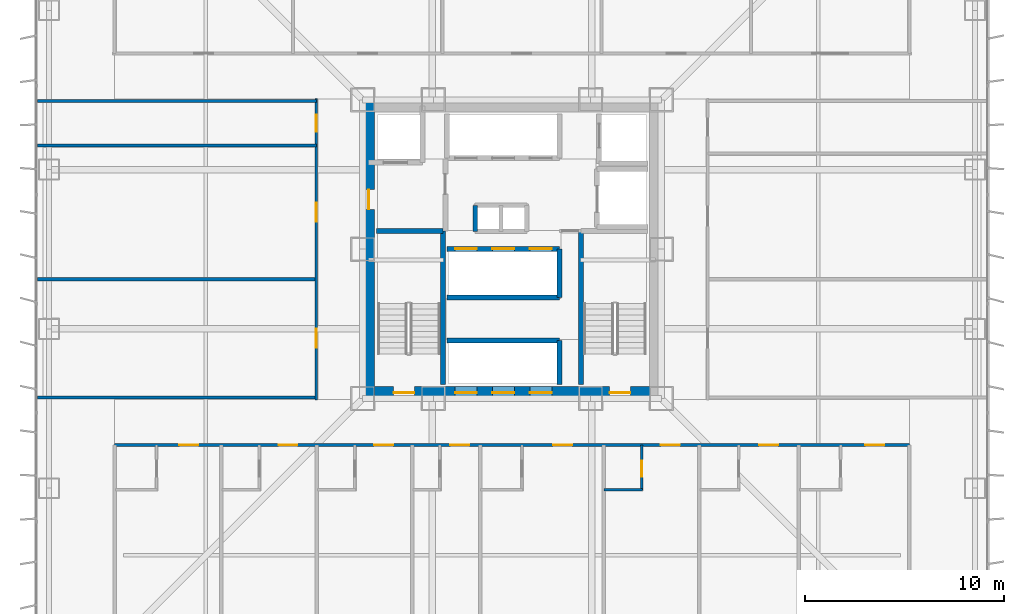
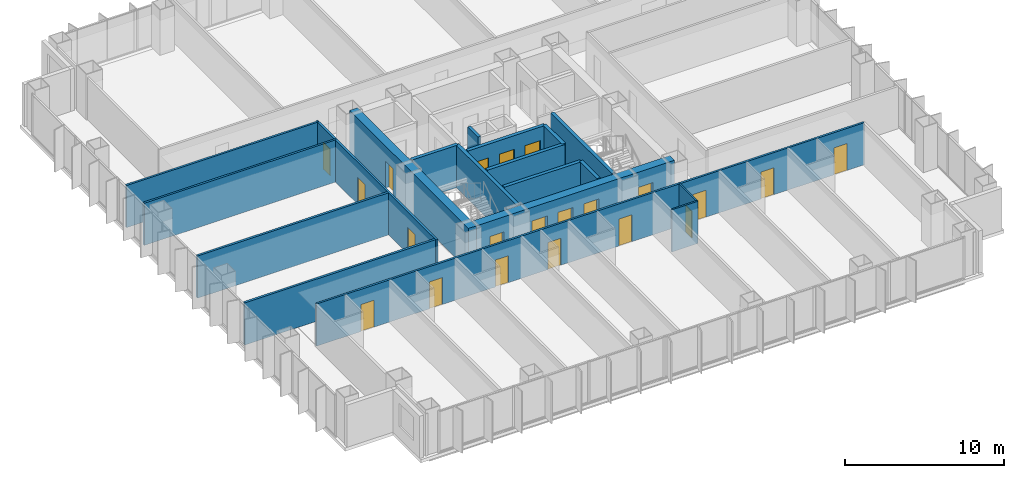
# One storey, part 14 of 19: 21 doors, 19 walls, 21 openings.
"""IFC4 building model written with IfcOpenShell, lengths in metres."""

from ifc_helpers import new_model, si_unit, direction, frame, frame_2d, origin, place, context, subcontext, project, spatial, rectangle, extrude, material, layer, layer_set, type_object, element, fill, save


model = new_model("IFC4")

# Units and contexts
model_context = context("Model", 3, precision=1e-05, world=origin(), true_north=direction((0.0, 1.0)))
body_context = subcontext(model_context, "Body", "Model", "MODEL_VIEW")
ifc_project = project(units=[si_unit("LENGTHUNIT", "METRE"), si_unit("AREAUNIT", "SQUARE_METRE"), si_unit("VOLUMEUNIT", "CUBIC_METRE"), si_unit("PLANEANGLEUNIT", "RADIAN"), si_unit("MASSUNIT", "GRAM", prefix="KILO")], contexts=[model_context])

# Site, building, storey
site_placement = place(None, origin())
site = spatial("IfcSite", under=ifc_project, at=site_placement, CompositionType="ELEMENT")
building_placement = place(site_placement, origin())
building = spatial("IfcBuilding", under=site, at=building_placement, Name="Trevonay Congress Spire", CompositionType="ELEMENT")
storey_placement = place(building_placement, frame((0.0, 0.0, 58.5)))
storey = spatial("IfcBuildingStorey", under=building, at=storey_placement, Name="L14", CompositionType="ELEMENT", Elevation=58.5)

# Wall, opening, door
ifc_material_1 = material(Name="Concrete C40/50", Category="concrete")
ifc_layer_1 = layer(ifc_material_1, 0.1201171875, Name="Concrete C40/50")
ifc_layer_set_1 = layer_set([ifc_layer_1], Name="Concrete C40/50")
wall_type_1 = type_object("IfcWallType", Name="WAL-BATH-120", PredefinedType="PLUMBINGWALL", material=ifc_layer_set_1)
wall_1_placement = place(storey_placement, frame((6.512939453125, -12.080078125, 0.0), z_axis=(0.0, 0.0, 1.0), x_axis=(0.0, 1.0, 0.0)))
wall_1 = element("IfcWall", 1, at=wall_1_placement, inside=storey, type_object=wall_type_1, Name="L14 interior wall WH-L14S-BS6", PredefinedType="PLUMBINGWALL", context=body_context, shape_type="SweptSolid", body=[
    extrude(rectangle(XDim=2.25, YDim=0.1201171875, at=frame_2d((1.125, 0.0))), origin(), (0.0, 0.0, 1.0), 3.25),
])
opening_1_placement = place(wall_1_placement, frame((0.64990234375, 0.0, 0.0)))
opening_1 = element("IfcOpeningElement", 2, at=opening_1_placement, cuts=wall_1, Name="Opening D11", PredefinedType="OPENING", context=body_context, shape_type="SweptSolid", body=[
    extrude(rectangle(XDim=0.800048828125, YDim=2.050048828125, at=frame_2d((0.39990234375, 1.02490234375))), frame((0.0, 0.070068359375, 0.0), z_axis=(0.0, -1.0, 0.0), x_axis=(1.0, 0.0, 0.0)), (0.0, 0.0, 1.0), 0.14013671875),
])
ifc_material_2 = material(Name="Pale Anodised Aluminium EN AW-6063-T6", Category="aluminium")
door_type_1 = type_object("IfcDoorType", Name="DOR-BATH-80", OperationType="NOTDEFINED", PredefinedType="DOOR", material=ifc_material_2)
door_1_placement = place(opening_1_placement, origin())
door_1 = element("IfcDoor", 3, at=door_1_placement, inside=storey, type_object=door_type_1, Name="L14 En-suite Bathroom Door", OperationType="SINGLE_SWING_RIGHT", OverallHeight=2.050048828125, OverallWidth=0.800048828125, PredefinedType="DOOR", context=body_context, shape_type="SweptSolid", body=[
    extrude(rectangle(XDim=0.800048828125, YDim=2.050048828125, at=frame_2d((0.39990234375, 1.02490234375))), frame((0.0, 0.02490234375, 0.0), z_axis=(0.0, -1.0, 0.0), x_axis=(1.0, 0.0, 0.0)), (0.0, 0.0, 1.0), 0.050048828125),
])
fill(opening_1, door_1)

# Wall
wall_2_placement = place(storey_placement, frame((4.6298828125, -12.080078125, 0.0), z_axis=(0.0, 0.0, 1.0), x_axis=(1.0, 0.0, 0.0)))
element("IfcWall", 4, at=wall_2_placement, inside=storey, type_object=wall_type_1, Name="L14 interior wall WH-L14S-BF6", PredefinedType="PLUMBINGWALL", context=body_context, shape_type="SweptSolid", body=[
    extrude(rectangle(XDim=1.9130859375, YDim=0.1201171875, at=frame_2d((0.95654296875, 0.0))), origin(), (0.0, 0.0, 1.0), 3.25),
])

# Wall, openings, doors
ifc_material_3 = material(Name="Concrete C60/75", Category="concrete")
ifc_layer_2 = layer(ifc_material_3, 0.60009765625, Name="Concrete C60/75")
ifc_layer_set_2 = layer_set([ifc_layer_2], Name="Concrete C60/75")
wall_type_2 = type_object("IfcWallType", Name="WAL-CORE-600", PredefinedType="SHEAR", material=ifc_layer_set_2)
wall_3_placement = place(storey_placement, frame((-7.5, -7.199951171875, 0.0), z_axis=(0.0, 0.0, 1.0), x_axis=(1.0, 0.0, 0.0)))
wall_3 = element("IfcWall", 5, at=wall_3_placement, inside=storey, type_object=wall_type_2, Name="L14 South structural core shear wall", PredefinedType="SHEAR", context=body_context, shape_type="SweptSolid", body=[
    extrude(rectangle(XDim=15.0, YDim=0.60009765625, at=frame_2d((7.5, 0.0))), origin(), (0.0, 0.0, 1.0), 3.25),
])
opening_2_placement = place(wall_3_placement, frame((1.550048828125, 0.0, 0.0)))
opening_2 = element("IfcOpeningElement", 6, at=opening_2_placement, cuts=wall_3, Name="Opening D05", PredefinedType="OPENING", context=body_context, shape_type="SweptSolid", body=[
    extrude(rectangle(XDim=1.050048828125, YDim=2.080078125, at=frame_2d((0.52490234375, 1.0400390625))), frame((0.0, 0.31005859375, 0.0), z_axis=(0.0, -1.0, 0.0), x_axis=(1.0, 0.0, 0.0)), (0.0, 0.0, 1.0), 0.6201171875),
])
opening_3_placement = place(wall_3_placement, frame((12.39990234375, 0.0, 0.0)))
opening_3 = element("IfcOpeningElement", 7, at=opening_3_placement, cuts=wall_3, Name="Opening D05", PredefinedType="OPENING", context=body_context, shape_type="SweptSolid", body=[
    extrude(rectangle(XDim=1.050048828125, YDim=2.080078125, at=frame_2d((0.52490234375, 1.0400390625))), frame((0.0, 0.31005859375, 0.0), z_axis=(0.0, -1.0, 0.0), x_axis=(1.0, 0.0, 0.0)), (0.0, 0.0, 1.0), 0.6201171875),
])
opening_4_placement = place(wall_3_placement, frame((4.639892578125, 0.0, 0.0)))
opening_4 = element("IfcOpeningElement", 8, at=opening_4_placement, cuts=wall_3, Name="Opening LD01", PredefinedType="OPENING", context=body_context, shape_type="SweptSolid", body=[
    extrude(rectangle(XDim=1.10009765625, YDim=2.199951171875, at=frame_2d((0.550048828125, 1.10009765625))), frame((0.0, 0.31005859375, 0.0), z_axis=(0.0, -1.0, 0.0), x_axis=(1.0, 0.0, 0.0)), (0.0, 0.0, 1.0), 0.6201171875),
])
opening_5_placement = place(wall_3_placement, frame((6.52001953125, 0.0, 0.0)))
opening_5 = element("IfcOpeningElement", 9, at=opening_5_placement, cuts=wall_3, Name="Opening LD01", PredefinedType="OPENING", context=body_context, shape_type="SweptSolid", body=[
    extrude(rectangle(XDim=1.10009765625, YDim=2.199951171875, at=frame_2d((0.550048828125, 1.10009765625))), frame((0.0, 0.31005859375, 0.0), z_axis=(0.0, -1.0, 0.0), x_axis=(1.0, 0.0, 0.0)), (0.0, 0.0, 1.0), 0.6201171875),
])
opening_6_placement = place(wall_3_placement, frame((8.39990234375, 0.0, 0.0)))
opening_6 = element("IfcOpeningElement", 10, at=opening_6_placement, cuts=wall_3, Name="Opening LD01", PredefinedType="OPENING", context=body_context, shape_type="SweptSolid", body=[
    extrude(rectangle(XDim=1.10009765625, YDim=2.199951171875, at=frame_2d((0.550048828125, 1.10009765625))), frame((0.0, 0.31005859375, 0.0), z_axis=(0.0, -1.0, 0.0), x_axis=(1.0, 0.0, 0.0)), (0.0, 0.0, 1.0), 0.6201171875),
])
door_type_2 = type_object("IfcDoorType", Name="DOR-LIFT-LD01", OperationType="DOUBLE_DOOR_SLIDING", PredefinedType="DOOR", material=ifc_material_2)
door_2_placement = place(opening_4_placement, origin())
door_2 = element("IfcDoor", 11, at=door_2_placement, inside=storey, type_object=door_type_2, Name="L14 Passenger lift PL-01 landing door", OperationType="DOUBLE_DOOR_SLIDING", OverallHeight=2.199951171875, OverallWidth=1.10009765625, PredefinedType="DOOR", context=body_context, shape_type="SweptSolid", body=[
    extrude(rectangle(XDim=1.10009765625, YDim=2.199951171875, at=frame_2d((0.550048828125, 1.10009765625))), frame((0.0, 0.02490234375, 0.0), z_axis=(0.0, -1.0, 0.0), x_axis=(1.0, 0.0, 0.0)), (0.0, 0.0, 1.0), 0.050048828125),
])
fill(opening_4, door_2)
door_3_placement = place(opening_5_placement, origin())
door_3 = element("IfcDoor", 12, at=door_3_placement, inside=storey, type_object=door_type_2, Name="L14 Passenger lift PL-02 landing door", OperationType="DOUBLE_DOOR_SLIDING", OverallHeight=2.199951171875, OverallWidth=1.10009765625, PredefinedType="DOOR", context=body_context, shape_type="SweptSolid", body=[
    extrude(rectangle(XDim=1.10009765625, YDim=2.199951171875, at=frame_2d((0.550048828125, 1.10009765625))), frame((0.0, 0.02490234375, 0.0), z_axis=(0.0, -1.0, 0.0), x_axis=(1.0, 0.0, 0.0)), (0.0, 0.0, 1.0), 0.050048828125),
])
fill(opening_5, door_3)
door_4_placement = place(opening_6_placement, origin())
door_4 = element("IfcDoor", 13, at=door_4_placement, inside=storey, type_object=door_type_2, Name="L14 Passenger lift PL-03 landing door", OperationType="DOUBLE_DOOR_SLIDING", OverallHeight=2.199951171875, OverallWidth=1.10009765625, PredefinedType="DOOR", context=body_context, shape_type="SweptSolid", body=[
    extrude(rectangle(XDim=1.10009765625, YDim=2.199951171875, at=frame_2d((0.550048828125, 1.10009765625))), frame((0.0, 0.02490234375, 0.0), z_axis=(0.0, -1.0, 0.0), x_axis=(1.0, 0.0, 0.0)), (0.0, 0.0, 1.0), 0.050048828125),
])
fill(opening_6, door_4)
ifc_material_4 = material(Name="Steel ASTM A572 Grade 50", Category="steel")
door_type_3 = type_object("IfcDoorType", Name="DOR-STAIR-110", OperationType="NOTDEFINED", PredefinedType="DOOR", material=ifc_material_4)
door_5_placement = place(opening_2_placement, origin())
door_5 = element("IfcDoor", 14, at=door_5_placement, inside=storey, type_object=door_type_3, Name="L14 Protected Stair ST-1 Door", OperationType="SINGLE_SWING_RIGHT", OverallHeight=2.080078125, OverallWidth=1.050048828125, PredefinedType="DOOR", context=body_context, shape_type="SweptSolid", body=[
    extrude(rectangle(XDim=1.050048828125, YDim=2.080078125, at=frame_2d((0.52490234375, 1.0400390625))), frame((0.0, 0.02490234375, 0.0), z_axis=(0.0, -1.0, 0.0), x_axis=(1.0, 0.0, 0.0)), (0.0, 0.0, 1.0), 0.050048828125),
])
fill(opening_2, door_5)
door_6_placement = place(opening_3_placement, origin())
door_6 = element("IfcDoor", 15, at=door_6_placement, inside=storey, type_object=door_type_3, Name="L14 Protected Stair ST-2 Door", OperationType="SINGLE_SWING_LEFT", OverallHeight=2.080078125, OverallWidth=1.050048828125, PredefinedType="DOOR", context=body_context, shape_type="SweptSolid", body=[
    extrude(rectangle(XDim=1.050048828125, YDim=2.080078125, at=frame_2d((0.52490234375, 1.0400390625))), frame((0.0, 0.02490234375, 0.0), z_axis=(0.0, -1.0, 0.0), x_axis=(1.0, 0.0, 0.0)), (0.0, 0.0, 1.0), 0.050048828125),
])
fill(opening_3, door_6)

# Wall, opening, door
wall_4_placement = place(storey_placement, frame((-7.199951171875, -7.5, 0.0), z_axis=(0.0, 0.0, 1.0), x_axis=(0.0, 1.0, 0.0)))
wall_4 = element("IfcWall", 16, at=wall_4_placement, inside=storey, type_object=wall_type_2, Name="L14 West structural core shear wall", PredefinedType="SHEAR", context=body_context, shape_type="SweptSolid", body=[
    extrude(rectangle(XDim=15.0, YDim=0.60009765625, at=frame_2d((7.5, 0.0))), origin(), (0.0, 0.0, 1.0), 3.25),
])
opening_7_placement = place(wall_4_placement, frame((9.5, 0.0, 0.0)))
opening_7 = element("IfcOpeningElement", 17, at=opening_7_placement, cuts=wall_4, Name="Opening D06", PredefinedType="OPENING", context=body_context, shape_type="SweptSolid", body=[
    extrude(rectangle(XDim=1.0, YDim=2.080078125, at=frame_2d((0.5, 1.0400390625))), frame((0.0, 0.31005859375, 0.0), z_axis=(0.0, -1.0, 0.0), x_axis=(1.0, 0.0, 0.0)), (0.0, 0.0, 1.0), 0.6201171875),
])
door_type_4 = type_object("IfcDoorType", Name="DOR-FIRE-100", OperationType="NOTDEFINED", PredefinedType="DOOR", material=ifc_material_4)
door_7_placement = place(opening_7_placement, origin())
door_7 = element("IfcDoor", 18, at=door_7_placement, inside=storey, type_object=door_type_4, Name="L14 Firefighting Lift Lobby West Corridor Door", OperationType="SINGLE_SWING_RIGHT", OverallHeight=2.080078125, OverallWidth=1.0, PredefinedType="DOOR", context=body_context, shape_type="SweptSolid", body=[
    extrude(rectangle(XDim=1.0, YDim=2.080078125, at=frame_2d((0.5, 1.0400390625))), frame((0.0, 0.02490234375, 0.0), z_axis=(0.0, -1.0, 0.0), x_axis=(1.0, 0.0, 0.0)), (0.0, 0.0, 1.0), 0.050048828125),
])
fill(opening_7, door_7)

# Wall, openings, doors
ifc_layer_3 = layer(ifc_material_1, 0.14990234375, Name="Concrete C40/50")
ifc_layer_set_3 = layer_set([ifc_layer_3], Name="Concrete C40/50")
wall_type_3 = type_object("IfcWallType", Name="WAL-CORR-150", PredefinedType="PARTITIONING", material=ifc_layer_set_3)
wall_5_placement = place(storey_placement, frame((-19.949951171875, -9.830078125, 0.0), z_axis=(0.0, 0.0, 1.0), x_axis=(1.0, 0.0, 0.0)))
wall_5 = element("IfcWall", 19, at=wall_5_placement, inside=storey, type_object=wall_type_3, Name="L14 interior wall WH-L14S-COR", PredefinedType="PARTITIONING", context=body_context, shape_type="SweptSolid", body=[
    extrude(rectangle(XDim=39.89990234375, YDim=0.14990234375, at=frame_2d((19.949951171875, 0.0))), origin(), (0.0, 0.0, 1.0), 3.25),
])
opening_8_placement = place(wall_5_placement, frame((3.2451171875, 0.0, 0.0)))
opening_8 = element("IfcOpeningElement", 20, at=opening_8_placement, cuts=wall_5, Name="Opening D08", PredefinedType="OPENING", context=body_context, shape_type="SweptSolid", body=[
    extrude(rectangle(XDim=0.949951171875, YDim=2.080078125, at=frame_2d((0.47509765625, 1.0400390625))), frame((0.0, 0.0849609375, 0.0), z_axis=(0.0, -1.0, 0.0), x_axis=(1.0, 0.0, 0.0)), (0.0, 0.0, 1.0), 0.169921875),
])
opening_9_placement = place(wall_5_placement, frame((8.2265625, 0.0, 0.0)))
opening_9 = element("IfcOpeningElement", 21, at=opening_9_placement, cuts=wall_5, Name="Opening D08", PredefinedType="OPENING", context=body_context, shape_type="SweptSolid", body=[
    extrude(rectangle(XDim=0.949951171875, YDim=2.080078125, at=frame_2d((0.47509765625, 1.0400390625))), frame((0.0, 0.0849609375, 0.0), z_axis=(0.0, -1.0, 0.0), x_axis=(1.0, 0.0, 0.0)), (0.0, 0.0, 1.0), 0.169921875),
])
opening_10_placement = place(wall_5_placement, frame((13.026611328125, 0.0, 0.0)))
opening_10 = element("IfcOpeningElement", 22, at=opening_10_placement, cuts=wall_5, Name="Opening D08", PredefinedType="OPENING", context=body_context, shape_type="SweptSolid", body=[
    extrude(rectangle(XDim=0.949951171875, YDim=2.080078125, at=frame_2d((0.47509765625, 1.0400390625))), frame((0.0, 0.0849609375, 0.0), z_axis=(0.0, -1.0, 0.0), x_axis=(1.0, 0.0, 0.0)), (0.0, 0.0, 1.0), 0.169921875),
])
opening_11_placement = place(wall_5_placement, frame((16.860595703125, 0.0, 0.0)))
opening_11 = element("IfcOpeningElement", 23, at=opening_11_placement, cuts=wall_5, Name="Opening D08", PredefinedType="OPENING", context=body_context, shape_type="SweptSolid", body=[
    extrude(rectangle(XDim=0.949951171875, YDim=2.080078125, at=frame_2d((0.47509765625, 1.0400390625))), frame((0.0, 0.0849609375, 0.0), z_axis=(0.0, -1.0, 0.0), x_axis=(1.0, 0.0, 0.0)), (0.0, 0.0, 1.0), 0.169921875),
])
opening_12_placement = place(wall_5_placement, frame((22.02001953125, 0.0, 0.0)))
opening_12 = element("IfcOpeningElement", 24, at=opening_12_placement, cuts=wall_5, Name="Opening D08", PredefinedType="OPENING", context=body_context, shape_type="SweptSolid", body=[
    extrude(rectangle(XDim=0.949951171875, YDim=2.080078125, at=frame_2d((0.47509765625, 1.0400390625))), frame((0.0, 0.0849609375, 0.0), z_axis=(0.0, -1.0, 0.0), x_axis=(1.0, 0.0, 0.0)), (0.0, 0.0, 1.0), 0.169921875),
])
opening_13_placement = place(wall_5_placement, frame((27.426513671875, 0.0, 0.0)))
opening_13 = element("IfcOpeningElement", 25, at=opening_13_placement, cuts=wall_5, Name="Opening D08", PredefinedType="OPENING", context=body_context, shape_type="SweptSolid", body=[
    extrude(rectangle(XDim=0.949951171875, YDim=2.080078125, at=frame_2d((0.47509765625, 1.0400390625))), frame((0.0, 0.0849609375, 0.0), z_axis=(0.0, -1.0, 0.0), x_axis=(1.0, 0.0, 0.0)), (0.0, 0.0, 1.0), 0.169921875),
])
opening_14_placement = place(wall_5_placement, frame((32.364501953125, 0.0, 0.0)))
opening_14 = element("IfcOpeningElement", 26, at=opening_14_placement, cuts=wall_5, Name="Opening D08", PredefinedType="OPENING", context=body_context, shape_type="SweptSolid", body=[
    extrude(rectangle(XDim=0.949951171875, YDim=2.080078125, at=frame_2d((0.47509765625, 1.0400390625))), frame((0.0, 0.0849609375, 0.0), z_axis=(0.0, -1.0, 0.0), x_axis=(1.0, 0.0, 0.0)), (0.0, 0.0, 1.0), 0.169921875),
])
opening_15_placement = place(wall_5_placement, frame((37.695068359375, 0.0, 0.0)))
opening_15 = element("IfcOpeningElement", 27, at=opening_15_placement, cuts=wall_5, Name="Opening D08", PredefinedType="OPENING", context=body_context, shape_type="SweptSolid", body=[
    extrude(rectangle(XDim=0.949951171875, YDim=2.080078125, at=frame_2d((0.47509765625, 1.0400390625))), frame((0.0, 0.0849609375, 0.0), z_axis=(0.0, -1.0, 0.0), x_axis=(1.0, 0.0, 0.0)), (0.0, 0.0, 1.0), 0.169921875),
])
door_type_5 = type_object("IfcDoorType", Name="DOR-SUITE-95", OperationType="NOTDEFINED", PredefinedType="DOOR", material=ifc_material_2)
door_8_placement = place(opening_8_placement, origin())
door_8 = element("IfcDoor", 28, at=door_8_placement, inside=storey, type_object=door_type_5, Name="L14 Hotel Guest Room Entrance Door", OperationType="SINGLE_SWING_LEFT", OverallHeight=2.080078125, OverallWidth=0.949951171875, PredefinedType="DOOR", context=body_context, shape_type="SweptSolid", body=[
    extrude(rectangle(XDim=0.949951171875, YDim=2.080078125, at=frame_2d((0.47509765625, 1.0400390625))), frame((0.0, 0.02490234375, 0.0), z_axis=(0.0, -1.0, 0.0), x_axis=(1.0, 0.0, 0.0)), (0.0, 0.0, 1.0), 0.050048828125),
])
fill(opening_8, door_8)
door_9_placement = place(opening_9_placement, origin())
door_9 = element("IfcDoor", 29, at=door_9_placement, inside=storey, type_object=door_type_5, Name="L14 Corner Hotel Suite Entrance Door", OperationType="SINGLE_SWING_RIGHT", OverallHeight=2.080078125, OverallWidth=0.949951171875, PredefinedType="DOOR", context=body_context, shape_type="SweptSolid", body=[
    extrude(rectangle(XDim=0.949951171875, YDim=2.080078125, at=frame_2d((0.47509765625, 1.0400390625))), frame((0.0, 0.02490234375, 0.0), z_axis=(0.0, -1.0, 0.0), x_axis=(1.0, 0.0, 0.0)), (0.0, 0.0, 1.0), 0.050048828125),
])
fill(opening_9, door_9)
door_10_placement = place(opening_10_placement, origin())
door_10 = element("IfcDoor", 30, at=door_10_placement, inside=storey, type_object=door_type_5, Name="L14 Hotel Guest Room Entrance Door", OperationType="SINGLE_SWING_LEFT", OverallHeight=2.080078125, OverallWidth=0.949951171875, PredefinedType="DOOR", context=body_context, shape_type="SweptSolid", body=[
    extrude(rectangle(XDim=0.949951171875, YDim=2.080078125, at=frame_2d((0.47509765625, 1.0400390625))), frame((0.0, 0.02490234375, 0.0), z_axis=(0.0, -1.0, 0.0), x_axis=(1.0, 0.0, 0.0)), (0.0, 0.0, 1.0), 0.050048828125),
])
fill(opening_10, door_10)
door_11_placement = place(opening_11_placement, origin())
door_11 = element("IfcDoor", 31, at=door_11_placement, inside=storey, type_object=door_type_5, Name="L14 Hotel Guest Room Entrance Door", OperationType="SINGLE_SWING_RIGHT", OverallHeight=2.080078125, OverallWidth=0.949951171875, PredefinedType="DOOR", context=body_context, shape_type="SweptSolid", body=[
    extrude(rectangle(XDim=0.949951171875, YDim=2.080078125, at=frame_2d((0.47509765625, 1.0400390625))), frame((0.0, 0.02490234375, 0.0), z_axis=(0.0, -1.0, 0.0), x_axis=(1.0, 0.0, 0.0)), (0.0, 0.0, 1.0), 0.050048828125),
])
fill(opening_11, door_11)
door_12_placement = place(opening_12_placement, origin())
door_12 = element("IfcDoor", 32, at=door_12_placement, inside=storey, type_object=door_type_5, Name="L14 Hotel Guest Room Entrance Door", OperationType="SINGLE_SWING_LEFT", OverallHeight=2.080078125, OverallWidth=0.949951171875, PredefinedType="DOOR", context=body_context, shape_type="SweptSolid", body=[
    extrude(rectangle(XDim=0.949951171875, YDim=2.080078125, at=frame_2d((0.47509765625, 1.0400390625))), frame((0.0, 0.02490234375, 0.0), z_axis=(0.0, -1.0, 0.0), x_axis=(1.0, 0.0, 0.0)), (0.0, 0.0, 1.0), 0.050048828125),
])
fill(opening_12, door_12)
door_13_placement = place(opening_13_placement, origin())
door_13 = element("IfcDoor", 33, at=door_13_placement, inside=storey, type_object=door_type_5, Name="L14 Hotel Guest Room Entrance Door", OperationType="SINGLE_SWING_RIGHT", OverallHeight=2.080078125, OverallWidth=0.949951171875, PredefinedType="DOOR", context=body_context, shape_type="SweptSolid", body=[
    extrude(rectangle(XDim=0.949951171875, YDim=2.080078125, at=frame_2d((0.47509765625, 1.0400390625))), frame((0.0, 0.02490234375, 0.0), z_axis=(0.0, -1.0, 0.0), x_axis=(1.0, 0.0, 0.0)), (0.0, 0.0, 1.0), 0.050048828125),
])
fill(opening_13, door_13)
door_14_placement = place(opening_14_placement, origin())
door_14 = element("IfcDoor", 34, at=door_14_placement, inside=storey, type_object=door_type_5, Name="L14 Corner Hotel Suite Entrance Door", OperationType="SINGLE_SWING_LEFT", OverallHeight=2.080078125, OverallWidth=0.949951171875, PredefinedType="DOOR", context=body_context, shape_type="SweptSolid", body=[
    extrude(rectangle(XDim=0.949951171875, YDim=2.080078125, at=frame_2d((0.47509765625, 1.0400390625))), frame((0.0, 0.02490234375, 0.0), z_axis=(0.0, -1.0, 0.0), x_axis=(1.0, 0.0, 0.0)), (0.0, 0.0, 1.0), 0.050048828125),
])
fill(opening_14, door_14)
door_15_placement = place(opening_15_placement, origin())
door_15 = element("IfcDoor", 35, at=door_15_placement, inside=storey, type_object=door_type_5, Name="L14 Hotel Guest Room Entrance Door", OperationType="SINGLE_SWING_RIGHT", OverallHeight=2.080078125, OverallWidth=0.949951171875, PredefinedType="DOOR", context=body_context, shape_type="SweptSolid", body=[
    extrude(rectangle(XDim=0.949951171875, YDim=2.080078125, at=frame_2d((0.47509765625, 1.0400390625))), frame((0.0, 0.02490234375, 0.0), z_axis=(0.0, -1.0, 0.0), x_axis=(1.0, 0.0, 0.0)), (0.0, 0.0, 1.0), 0.050048828125),
])
fill(opening_15, door_15)

wall_6_placement = place(storey_placement, frame((-9.830078125, -7.570068359375, 0.0), z_axis=(0.0, 0.0, 1.0), x_axis=(0.0, 1.0, 0.0)))
wall_6 = element("IfcWall", 36, at=wall_6_placement, inside=storey, type_object=wall_type_3, Name="L14 interior wall WP-L14W-COR", PredefinedType="PARTITIONING", context=body_context, shape_type="SweptSolid", body=[
    extrude(rectangle(XDim=15.14013671875, YDim=0.14990234375, at=frame_2d((7.570068359375, 0.0))), origin(), (0.0, 0.0, 1.0), 3.25),
])
opening_16_placement = place(wall_6_placement, frame((2.6201171875, 0.0, 0.0)))
opening_16 = element("IfcOpeningElement", 37, at=opening_16_placement, cuts=wall_6, Name="Opening D07", PredefinedType="OPENING", context=body_context, shape_type="SweptSolid", body=[
    extrude(rectangle(XDim=0.949951171875, YDim=2.06005859375, at=frame_2d((0.47509765625, 1.030029296875))), frame((0.0, 0.0849609375, 0.0), z_axis=(0.0, -1.0, 0.0), x_axis=(1.0, 0.0, 0.0)), (0.0, 0.0, 1.0), 0.169921875),
])
opening_17_placement = place(wall_6_placement, frame((8.945068359375, 0.0, 0.0)))
opening_17 = element("IfcOpeningElement", 38, at=opening_17_placement, cuts=wall_6, Name="Opening D07", PredefinedType="OPENING", context=body_context, shape_type="SweptSolid", body=[
    extrude(rectangle(XDim=0.949951171875, YDim=2.06005859375, at=frame_2d((0.47509765625, 1.030029296875))), frame((0.0, 0.0849609375, 0.0), z_axis=(0.0, -1.0, 0.0), x_axis=(1.0, 0.0, 0.0)), (0.0, 0.0, 1.0), 0.169921875),
])
opening_18_placement = place(wall_6_placement, frame((13.469970703125, 0.0, 0.0)))
opening_18 = element("IfcOpeningElement", 39, at=opening_18_placement, cuts=wall_6, Name="Opening D10", PredefinedType="OPENING", context=body_context, shape_type="SweptSolid", body=[
    extrude(rectangle(XDim=0.85009765625, YDim=2.050048828125, at=frame_2d((0.425048828125, 1.02490234375))), frame((0.0, 0.0849609375, 0.0), z_axis=(0.0, -1.0, 0.0), x_axis=(1.0, 0.0, 0.0)), (0.0, 0.0, 1.0), 0.169921875),
])
door_type_6 = type_object("IfcDoorType", Name="DOR-OFFICE-95", OperationType="NOTDEFINED", PredefinedType="DOOR", material=ifc_material_2)
door_16_placement = place(opening_16_placement, origin())
door_16 = element("IfcDoor", 40, at=door_16_placement, inside=storey, type_object=door_type_6, Name="L14 Club Concierge Office Door", OperationType="SINGLE_SWING_LEFT", OverallHeight=2.06005859375, OverallWidth=0.949951171875, PredefinedType="DOOR", context=body_context, shape_type="SweptSolid", body=[
    extrude(rectangle(XDim=0.949951171875, YDim=2.06005859375, at=frame_2d((0.47509765625, 1.030029296875))), frame((0.0, 0.02490234375, 0.0), z_axis=(0.0, -1.0, 0.0), x_axis=(1.0, 0.0, 0.0)), (0.0, 0.0, 1.0), 0.050048828125),
])
fill(opening_16, door_16)
door_17_placement = place(opening_17_placement, origin())
door_17 = element("IfcDoor", 41, at=door_17_placement, inside=storey, type_object=door_type_6, Name="L14 Protocol Briefing Office Door", OperationType="SINGLE_SWING_RIGHT", OverallHeight=2.06005859375, OverallWidth=0.949951171875, PredefinedType="DOOR", context=body_context, shape_type="SweptSolid", body=[
    extrude(rectangle(XDim=0.949951171875, YDim=2.06005859375, at=frame_2d((0.47509765625, 1.030029296875))), frame((0.0, 0.02490234375, 0.0), z_axis=(0.0, -1.0, 0.0), x_axis=(1.0, 0.0, 0.0)), (0.0, 0.0, 1.0), 0.050048828125),
])
fill(opening_17, door_17)
door_type_7 = type_object("IfcDoorType", Name="DOR-WC-85", OperationType="NOTDEFINED", PredefinedType="DOOR", material=ifc_material_2)
door_18_placement = place(opening_18_placement, origin())
door_18 = element("IfcDoor", 42, at=door_18_placement, inside=storey, type_object=door_type_7, Name="L14 Accessible WC Door", OperationType="SINGLE_SWING_LEFT", OverallHeight=2.050048828125, OverallWidth=0.85009765625, PredefinedType="DOOR", context=body_context, shape_type="SweptSolid", body=[
    extrude(rectangle(XDim=0.85009765625, YDim=2.050048828125, at=frame_2d((0.425048828125, 1.02490234375))), frame((0.0, 0.02490234375, 0.0), z_axis=(0.0, -1.0, 0.0), x_axis=(1.0, 0.0, 0.0)), (0.0, 0.0, 1.0), 0.050048828125),
])
fill(opening_18, door_18)

# Walls
ifc_layer_4 = layer(ifc_material_1, 0.14990234375, Name="Concrete C40/50")
ifc_layer_set_4 = layer_set([ifc_layer_4], Name="Concrete C40/50")
wall_type_4 = type_object("IfcWallType", Name="WAL-PART-150", PredefinedType="PARTITIONING", material=ifc_layer_set_4)
for number, where, z_axis, x_axis, name in (
    (43, (-23.820068359375, 5.199951171875, 0.0), (0.0, 0.0, 1.0), (1.0, 0.0, 0.0), "L14 interior wall WP-L14W-DIV3"),
    (44, (-23.820068359375, 7.449951171875, 0.0), (0.0, 0.0, 1.0), (1.0, 0.0, 0.0), "L14 interior wall WP-L14W-DIV4"),
):
    element("IfcWall", number, at=place(storey_placement, frame(where, z_axis=z_axis, x_axis=x_axis)), inside=storey, type_object=wall_type_4, Name=name, PredefinedType="PARTITIONING", context=body_context, shape_type="SweptSolid", body=[
        extrude(rectangle(XDim=13.989990234375, YDim=0.14990234375, at=frame_2d((6.9951171875, 0.0))), origin(), (0.0, 0.0, 1.0), 3.25),
    ])
ifc_layer_5 = layer(ifc_material_1, 0.219970703125, Name="Concrete C40/50")
ifc_layer_set_5 = layer_set([ifc_layer_5], Name="Concrete C40/50")
wall_type_5 = type_object("IfcWallType", Name="WAL-SHAFT-220", PredefinedType="PARTITIONING", material=ifc_layer_set_5)
wall_7_placement = place(storey_placement, frame((-1.85009765625, 0.89990234375, 0.0), z_axis=(0.0, 0.0, 1.0), x_axis=(0.0, 1.0, 0.0)))
element("IfcWall", 45, at=wall_7_placement, inside=storey, type_object=wall_type_5, Name="L14 interior shaft wall WSH-L14-RSR-W", PredefinedType="PARTITIONING", context=body_context, shape_type="SweptSolid", body=[
    extrude(rectangle(XDim=1.300048828125, YDim=0.219970703125, at=frame_2d((0.64990234375, 0.0))), origin(), (0.0, 0.0, 1.0), 3.25),
])
ifc_layer_6 = layer(ifc_material_1, 0.25, Name="Concrete C40/50")
ifc_layer_set_6 = layer_set([ifc_layer_6], Name="Concrete C40/50")
wall_type_6 = type_object("IfcWallType", Name="WAL-SHAFT-250", PredefinedType="SHEAR", material=ifc_layer_set_6)
wall_8_placement = place(storey_placement, frame((-3.260009765625, -4.580078125, 0.0), z_axis=(0.0, 0.0, 1.0), x_axis=(1.0, 0.0, 0.0)))
element("IfcWall", 46, at=wall_8_placement, inside=storey, type_object=wall_type_6, Name="L14 interior shaft wall WSH-L14-B1-N", PredefinedType="SHEAR", context=body_context, shape_type="SweptSolid", body=[
    extrude(rectangle(XDim=5.639892578125, YDim=0.25, at=frame_2d((2.81982421875, 0.0))), origin(), (0.0, 0.0, 1.0), 3.25),
])
wall_9_placement = place(storey_placement, frame((2.3798828125, -6.800048828125, 0.0), z_axis=(0.0, 0.0, 1.0), x_axis=(0.0, 1.0, 0.0)))
element("IfcWall", 47, at=wall_9_placement, inside=storey, type_object=wall_type_6, Name="L14 interior shaft wall WSH-L14-B1-E", PredefinedType="SHEAR", context=body_context, shape_type="SweptSolid", body=[
    extrude(rectangle(XDim=2.219970703125, YDim=0.25, at=frame_2d((1.10986328125, 0.0))), origin(), (0.0, 0.0, 1.0), 3.25),
])

# Wall, openings, doors
wall_10_placement = place(storey_placement, frame((-3.260009765625, 0.02001953125, 0.0), z_axis=(0.0, 0.0, 1.0), x_axis=(1.0, 0.0, 0.0)))
wall_10 = element("IfcWall", 48, at=wall_10_placement, inside=storey, type_object=wall_type_6, Name="L14 interior shaft wall WSH-L14-B2-N", PredefinedType="SHEAR", context=body_context, shape_type="SweptSolid", body=[
    extrude(rectangle(XDim=5.639892578125, YDim=0.25, at=frame_2d((2.81982421875, 0.0))), origin(), (0.0, 0.0, 1.0), 3.25),
])
opening_19_placement = place(wall_10_placement, frame((0.39990234375, 0.0, 0.0)))
opening_19 = element("IfcOpeningElement", 49, at=opening_19_placement, cuts=wall_10, Name="Opening LD02", PredefinedType="OPENING", context=body_context, shape_type="SweptSolid", body=[
    extrude(rectangle(XDim=1.10009765625, YDim=2.199951171875, at=frame_2d((0.550048828125, 1.10009765625))), frame((0.0, 0.135009765625, 0.0), z_axis=(0.0, -1.0, 0.0), x_axis=(1.0, 0.0, 0.0)), (0.0, 0.0, 1.0), 0.27001953125),
])
opening_20_placement = place(wall_10_placement, frame((2.280029296875, 0.0, 0.0)))
opening_20 = element("IfcOpeningElement", 50, at=opening_20_placement, cuts=wall_10, Name="Opening LD02", PredefinedType="OPENING", context=body_context, shape_type="SweptSolid", body=[
    extrude(rectangle(XDim=1.10009765625, YDim=2.199951171875, at=frame_2d((0.550048828125, 1.10009765625))), frame((0.0, 0.135009765625, 0.0), z_axis=(0.0, -1.0, 0.0), x_axis=(1.0, 0.0, 0.0)), (0.0, 0.0, 1.0), 0.27001953125),
])
opening_21_placement = place(wall_10_placement, frame((4.159912109375, 0.0, 0.0)))
opening_21 = element("IfcOpeningElement", 51, at=opening_21_placement, cuts=wall_10, Name="Opening LD02", PredefinedType="OPENING", context=body_context, shape_type="SweptSolid", body=[
    extrude(rectangle(XDim=1.10009765625, YDim=2.199951171875, at=frame_2d((0.550048828125, 1.10009765625))), frame((0.0, 0.135009765625, 0.0), z_axis=(0.0, -1.0, 0.0), x_axis=(1.0, 0.0, 0.0)), (0.0, 0.0, 1.0), 0.27001953125),
])
door_type_8 = type_object("IfcDoorType", Name="DOR-LIFT-LD02", OperationType="DOUBLE_DOOR_SLIDING", PredefinedType="DOOR", material=ifc_material_2)
door_19_placement = place(opening_19_placement, origin())
door_19 = element("IfcDoor", 52, at=door_19_placement, inside=storey, type_object=door_type_8, Name="L14 Passenger lift PL-04 landing door", OperationType="DOUBLE_DOOR_SLIDING", OverallHeight=2.199951171875, OverallWidth=1.10009765625, PredefinedType="DOOR", context=body_context, shape_type="SweptSolid", body=[
    extrude(rectangle(XDim=1.10009765625, YDim=2.199951171875, at=frame_2d((0.550048828125, 1.10009765625))), frame((0.0, 0.02490234375, 0.0), z_axis=(0.0, -1.0, 0.0), x_axis=(1.0, 0.0, 0.0)), (0.0, 0.0, 1.0), 0.050048828125),
])
fill(opening_19, door_19)
door_20_placement = place(opening_20_placement, origin())
door_20 = element("IfcDoor", 53, at=door_20_placement, inside=storey, type_object=door_type_8, Name="L14 Passenger lift PL-05 landing door", OperationType="DOUBLE_DOOR_SLIDING", OverallHeight=2.199951171875, OverallWidth=1.10009765625, PredefinedType="DOOR", context=body_context, shape_type="SweptSolid", body=[
    extrude(rectangle(XDim=1.10009765625, YDim=2.199951171875, at=frame_2d((0.550048828125, 1.10009765625))), frame((0.0, 0.02490234375, 0.0), z_axis=(0.0, -1.0, 0.0), x_axis=(1.0, 0.0, 0.0)), (0.0, 0.0, 1.0), 0.050048828125),
])
fill(opening_20, door_20)
door_21_placement = place(opening_21_placement, origin())
door_21 = element("IfcDoor", 54, at=door_21_placement, inside=storey, type_object=door_type_8, Name="L14 Passenger lift PL-06 landing door", OperationType="DOUBLE_DOOR_SLIDING", OverallHeight=2.199951171875, OverallWidth=1.10009765625, PredefinedType="DOOR", context=body_context, shape_type="SweptSolid", body=[
    extrude(rectangle(XDim=1.10009765625, YDim=2.199951171875, at=frame_2d((0.550048828125, 1.10009765625))), frame((0.0, 0.02490234375, 0.0), z_axis=(0.0, -1.0, 0.0), x_axis=(1.0, 0.0, 0.0)), (0.0, 0.0, 1.0), 0.050048828125),
])
fill(opening_21, door_21)

# Walls
wall_11_placement = place(storey_placement, frame((-3.260009765625, -2.419921875, 0.0), z_axis=(0.0, 0.0, 1.0), x_axis=(1.0, 0.0, 0.0)))
element("IfcWall", 55, at=wall_11_placement, inside=storey, type_object=wall_type_6, Name="L14 interior shaft wall WSH-L14-B2-S", PredefinedType="SHEAR", context=body_context, shape_type="SweptSolid", body=[
    extrude(rectangle(XDim=5.639892578125, YDim=0.25, at=frame_2d((2.81982421875, 0.0))), origin(), (0.0, 0.0, 1.0), 3.25),
])
wall_12_placement = place(storey_placement, frame((2.3798828125, -2.419921875, 0.0), z_axis=(0.0, 0.0, 1.0), x_axis=(0.0, 1.0, 0.0)))
element("IfcWall", 56, at=wall_12_placement, inside=storey, type_object=wall_type_6, Name="L14 interior shaft wall WSH-L14-B2-E", PredefinedType="SHEAR", context=body_context, shape_type="SweptSolid", body=[
    extrude(rectangle(XDim=2.43994140625, YDim=0.25, at=frame_2d((1.219970703125, 0.0))), origin(), (0.0, 0.0, 1.0), 3.25),
])
ifc_layer_7 = layer(ifc_material_1, 0.25, Name="Concrete C40/50")
ifc_layer_set_7 = layer_set([ifc_layer_7], Name="Concrete C40/50")
wall_type_7 = type_object("IfcWallType", Name="WAL-SHAFT-LB-250", PredefinedType="SHEAR", material=ifc_layer_set_7)
wall_13_placement = place(storey_placement, frame((-3.469970703125, -6.800048828125, 0.0), z_axis=(0.0, 0.0, 1.0), x_axis=(0.0, 1.0, 0.0)))
element("IfcWall", 57, at=wall_13_placement, inside=storey, type_object=wall_type_7, Name="L14 interior shaft wall WSH-L14-ST1-E", PredefinedType="SHEAR", context=body_context, shape_type="SweptSolid", body=[
    extrude(rectangle(XDim=7.719970703125, YDim=0.25, at=frame_2d((3.85986328125, 0.0))), origin(), (0.0, 0.0, 1.0), 3.25),
])
wall_14_placement = place(storey_placement, frame((-6.800048828125, 0.919921875, 0.0), z_axis=(0.0, 0.0, 1.0), x_axis=(1.0, 0.0, 0.0)))
element("IfcWall", 58, at=wall_14_placement, inside=storey, type_object=wall_type_7, Name="L14 interior shaft wall WSH-L14-ST1-N", PredefinedType="SHEAR", context=body_context, shape_type="SweptSolid", body=[
    extrude(rectangle(XDim=3.330078125, YDim=0.25, at=frame_2d((1.6650390625, 0.0))), origin(), (0.0, 0.0, 1.0), 3.25),
])
wall_15_placement = place(storey_placement, frame((3.469970703125, -6.800048828125, 0.0), z_axis=(0.0, 0.0, 1.0), x_axis=(0.0, 1.0, 0.0)))
element("IfcWall", 59, at=wall_15_placement, inside=storey, type_object=wall_type_7, Name="L14 interior shaft wall WSH-L14-ST2-W", PredefinedType="SHEAR", context=body_context, shape_type="SweptSolid", body=[
    extrude(rectangle(XDim=7.719970703125, YDim=0.25, at=frame_2d((3.85986328125, 0.0))), origin(), (0.0, 0.0, 1.0), 3.25),
])
ifc_layer_8 = layer(ifc_material_1, 0.1650390625, Name="Concrete C40/50")
ifc_layer_set_8 = layer_set([ifc_layer_8], Name="Concrete C40/50")
wall_type_8 = type_object("IfcWallType", Name="WAL-WET-165", PredefinedType="PLUMBINGWALL", material=ifc_layer_set_8)
for number, where, z_axis, x_axis, name in (
    (60, (-23.820068359375, -7.449951171875, 0.0), (0.0, 0.0, 1.0), (1.0, 0.0, 0.0), "L14 interior wall WP-L14W-DIV1"),
    (61, (-23.820068359375, -1.5, 0.0), (0.0, 0.0, 1.0), (1.0, 0.0, 0.0), "L14 interior wall WP-L14W-DIV2"),
):
    element("IfcWall", number, at=place(storey_placement, frame(where, z_axis=z_axis, x_axis=x_axis)), inside=storey, type_object=wall_type_8, Name=name, PredefinedType="PLUMBINGWALL", context=body_context, shape_type="SweptSolid", body=[
        extrude(rectangle(XDim=13.989990234375, YDim=0.1650390625, at=frame_2d((6.9951171875, 0.0))), origin(), (0.0, 0.0, 1.0), 3.25),
    ])

save(model, "model.ifc")
